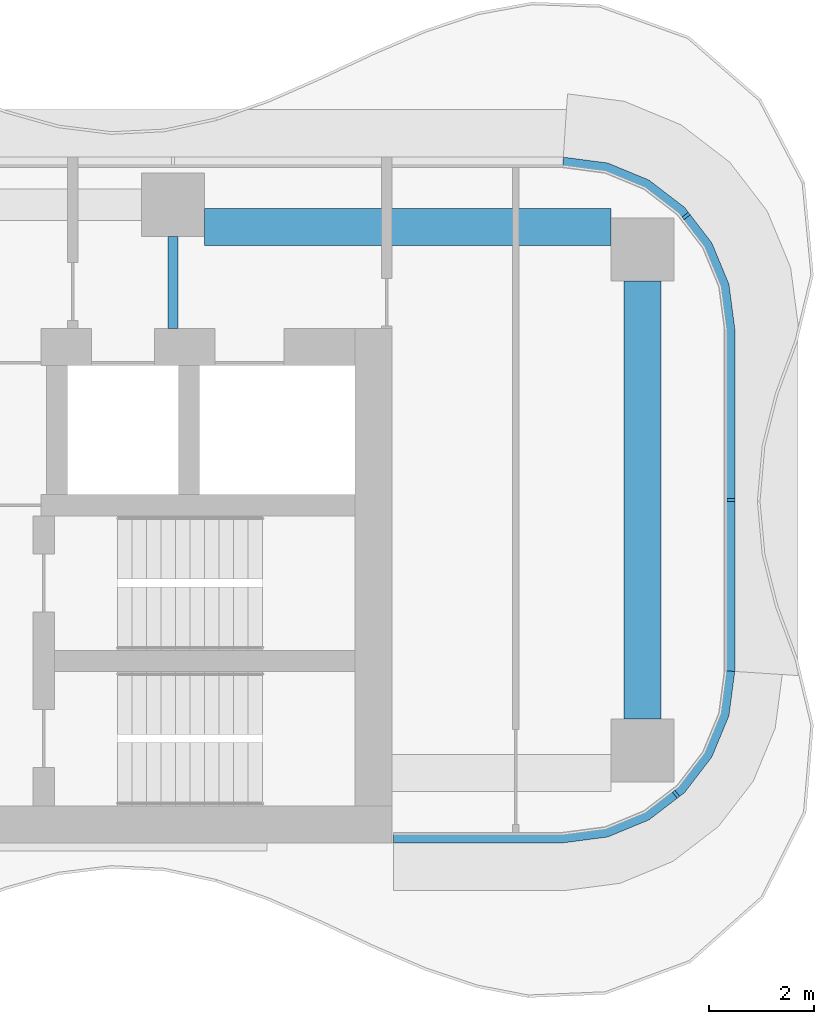
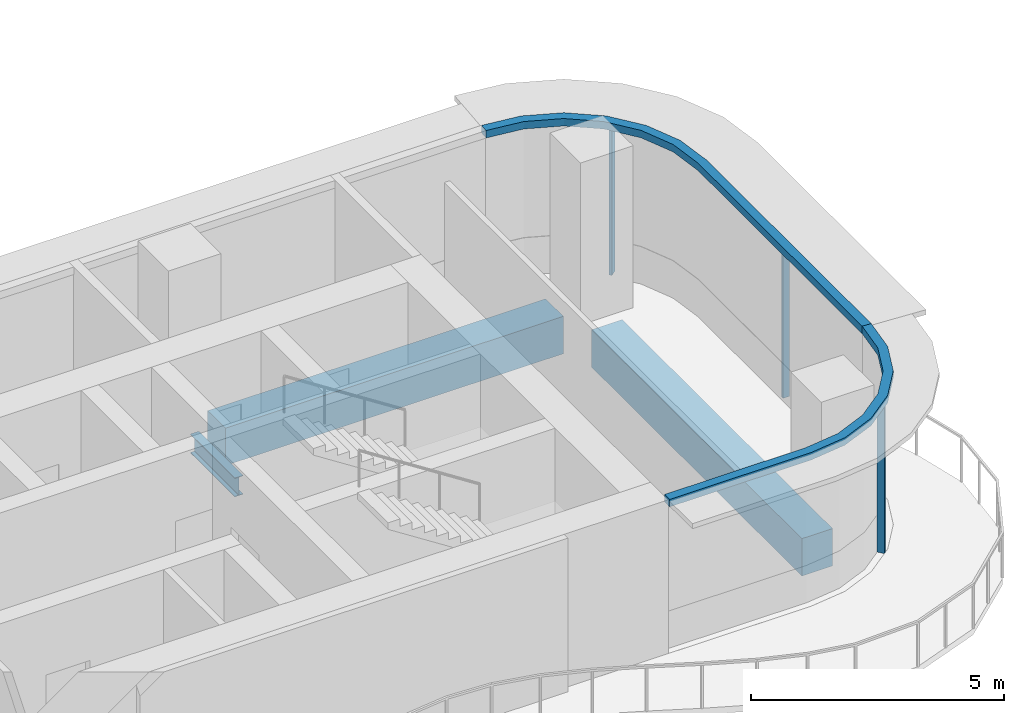
# One storey, part 6 of 18: 5 members, 3 beams, 2 elements without a shape of their own.
"""IFC4 building model written with IfcOpenShell, lengths in metres."""

import ifcopenshell
import ifcopenshell.guid

model = None  # the IFC model being written
_history = None  # IfcOwnerHistory: only IFC2X3 demands one
_inside = {}  # id of a spatial element -> (the spatial element, [elements in it])
_under = {}  # id of a project, library or spatial element -> (it, [spatial elements below it])
_declared = {}  # id of a project -> (the project, [libraries it declares])
_typed = {}  # id of a type object -> (the type object, [elements of that type])
_made_of = {}  # id of a material, layer set ... -> (it, [elements and type objects made of it])


def new_model(schema):
    """Start an empty IFC model of exactly this schema.

    Asked for "IFC4X3", IfcOpenShell would pick the latest addendum, in which some entities
    have other attributes; the version numbers below select the first issue.
    IFC2X3 requires an IfcOwnerHistory on every rooted entity: one is made here for all.
    """
    global model, _history
    if schema == "IFC4X3":
        model = ifcopenshell.file(schema_version=(4, 3, 0, 0))
    else:
        model = ifcopenshell.file(schema=schema)
    _inside.clear()
    _under.clear()
    _declared.clear()
    _typed.clear()
    _made_of.clear()
    _history = None
    if model.schema == "IFC2X3":
        org = make("IfcOrganization", Name="unknown")
        user = make(
            "IfcPersonAndOrganization",
            ThePerson=make("IfcPerson", FamilyName="unknown"),
            TheOrganization=org,
        )
        app = make(
            "IfcApplication",
            ApplicationDeveloper=org,
            Version="unknown",
            ApplicationFullName="unknown",
            ApplicationIdentifier="unknown",
        )
        _history = make(
            "IfcOwnerHistory",
            OwningUser=user,
            OwningApplication=app,
            ChangeAction="ADDED",
            CreationDate=0,
        )
    return model


def make(cls, **values):
    """One entity of the class cls with the attributes given. An attribute that is None is left unset."""
    return model.create_entity(
        cls, **{name: value for name, value in values.items() if value is not None}
    )


def rooted(cls, **values):
    """An entity with a GlobalId (a new one), such as an element, a storey or a relation."""
    return make(cls, GlobalId=ifcopenshell.guid.new(), OwnerHistory=_history, **values)


def si_unit(unit_type, name, prefix=None):
    """IfcSIUnit, for example si_unit("LENGTHUNIT", "METRE", prefix="MILLI")."""
    return make("IfcSIUnit", UnitType=unit_type, Prefix=prefix, Name=name)


def assignment(units):
    """IfcUnitAssignment: the units of a project."""
    return None if units is None else make("IfcUnitAssignment", Units=units)


def point(xyz):
    """IfcCartesianPoint."""
    return None if xyz is None else make("IfcCartesianPoint", Coordinates=xyz)


def direction(xyz):
    """IfcDirection."""
    return None if xyz is None else make("IfcDirection", DirectionRatios=xyz)


def frame(location, z_axis=None, x_axis=None):
    """IfcAxis2Placement3D, a coordinate frame: its origin and axes. An axis left out is left unset."""
    return make(
        "IfcAxis2Placement3D",
        Location=point(location),
        Axis=direction(z_axis),
        RefDirection=direction(x_axis),
    )


def frame_2d(location, x_axis=None):
    """IfcAxis2Placement2D, a coordinate frame in the plane: its origin and x axis."""
    return make(
        "IfcAxis2Placement2D", Location=point(location), RefDirection=direction(x_axis)
    )


def origin():
    """The frame at (0, 0, 0) with its axes left unset."""
    return frame((0.0, 0.0, 0.0))


def origin_2d():
    """The frame at (0, 0) in the plane with its x axis left unset."""
    return frame_2d((0.0, 0.0))


def place(relative_to, where):
    """IfcLocalPlacement: puts the frame where relative to a parent placement (None: the world)."""
    return make(
        "IfcLocalPlacement", PlacementRelTo=relative_to, RelativePlacement=where
    )


def context(
    kind, dimensions, precision=None, world=None, true_north=None, identifier=None
):
    """IfcGeometricRepresentationContext, for example the 3D "Model" context."""
    return make(
        "IfcGeometricRepresentationContext",
        ContextIdentifier=identifier,
        ContextType=kind,
        CoordinateSpaceDimension=dimensions,
        Precision=precision,
        WorldCoordinateSystem=world,
        TrueNorth=true_north,
    )


def subcontext(parent, identifier, kind, view, scale=None):
    """IfcGeometricRepresentationSubContext, for example "Body" below "Model"."""
    return make(
        "IfcGeometricRepresentationSubContext",
        ContextIdentifier=identifier,
        ContextType=kind,
        ParentContext=parent,
        TargetScale=scale,
        TargetView=view,
    )


def project(units=None, contexts=None):
    """IfcProject with its units and contexts."""
    return rooted(
        "IfcProject",
        Name="project",
        RepresentationContexts=contexts,
        UnitsInContext=assignment(units),
    )


def spatial(cls, under=None, at=None, **own):
    """A site, building, storey or space (cls), placed at a placement, below another one or the project."""
    s = rooted(cls, ObjectPlacement=at, **own)
    if under is not None:
        _under.setdefault(under.id(), (under, []))[1].append(s)
    return s


def polyline(points):
    """IfcPolyline through the points."""
    return make("IfcPolyline", Points=[point(p) for p in points])


def profile(cls, at=None, kind="AREA", **sizes):
    """A parametric profile (cls). Its sizes go by their IFC names, for example OverallWidth=200.0."""
    return make(cls, ProfileType=kind, Position=at, **sizes)


def rectangle(**sizes):
    """IfcRectangleProfileDef."""
    return profile("IfcRectangleProfileDef", **sizes)


def i_section(**sizes):
    """IfcIShapeProfileDef."""
    return profile("IfcIShapeProfileDef", **sizes)


def outline(outer, holes=None, kind="AREA"):
    """IfcArbitraryClosedProfileDef: a profile drawn as a closed curve; with holes, ...WithVoids."""
    if holes is None:
        return make("IfcArbitraryClosedProfileDef", ProfileType=kind, OuterCurve=outer)
    return make(
        "IfcArbitraryProfileDefWithVoids",
        ProfileType=kind,
        OuterCurve=outer,
        InnerCurves=holes,
    )


def extrude(swept, where, along, depth):
    """IfcExtrudedAreaSolid: the profile swept, set in the frame where, extruded along a direction by depth."""
    return make(
        "IfcExtrudedAreaSolid",
        SweptArea=swept,
        Position=where,
        ExtrudedDirection=direction(along),
        Depth=depth,
    )


def shape(context_of_items, identifier, shape_type, items):
    """IfcShapeRepresentation: the items that make up one representation, for example the "Body"."""
    return make(
        "IfcShapeRepresentation",
        ContextOfItems=context_of_items,
        RepresentationIdentifier=identifier,
        RepresentationType=shape_type,
        Items=items,
    )


def source(mapping_origin, context_of_items, identifier, shape_type, items):
    """IfcRepresentationMap: a shape defined once, which mapped items show again and again."""
    return make(
        "IfcRepresentationMap",
        MappingOrigin=mapping_origin,
        MappedRepresentation=shape(context_of_items, identifier, shape_type, items),
    )


def transform(
    local_origin,
    x_axis=None,
    y_axis=None,
    z_axis=None,
    scale=None,
    scale2=None,
    scale3=None,
    uniform=True,
):
    """IfcCartesianTransformationOperator3D, or its non-uniform kind. x_axis, y_axis, z_axis: its Axis1, 2, 3."""
    if uniform:
        return make(
            "IfcCartesianTransformationOperator3D",
            Axis1=direction(x_axis),
            Axis2=direction(y_axis),
            LocalOrigin=point(local_origin),
            Scale=scale,
            Axis3=direction(z_axis),
        )
    return make(
        "IfcCartesianTransformationOperator3DnonUniform",
        Axis1=direction(x_axis),
        Axis2=direction(y_axis),
        LocalOrigin=point(local_origin),
        Scale=scale,
        Axis3=direction(z_axis),
        Scale2=scale2,
        Scale3=scale3,
    )


def mapped(mapping_source, mapping_target):
    """IfcMappedItem: shows the shape of a source again, moved by a transform."""
    return make(
        "IfcMappedItem", MappingSource=mapping_source, MappingTarget=mapping_target
    )


def material(Name=None, Category=None):
    """IfcMaterial."""
    return make("IfcMaterial", Name=Name, Category=Category)


def layer(
    of_material, thickness, ventilated=None, Name=None, Category=None, Priority=None
):
    """IfcMaterialLayer: one layer of a wall or slab, of a material (None: an air gap)."""
    return make(
        "IfcMaterialLayer",
        Material=of_material,
        LayerThickness=thickness,
        IsVentilated=ventilated,
        Name=Name,
        Category=Category,
        Priority=Priority,
    )


def layer_set(layers, Name=None):
    """IfcMaterialLayerSet."""
    return make("IfcMaterialLayerSet", MaterialLayers=layers, LayerSetName=Name)


def material_profile(
    of_material, cross_section, Name=None, Category=None, Priority=None
):
    """IfcMaterialProfile: a cross section and its material."""
    return make(
        "IfcMaterialProfile",
        Name=Name,
        Material=of_material,
        Profile=cross_section,
        Priority=Priority,
        Category=Category,
    )


def profile_set(profiles, Name=None, composite=None):
    """IfcMaterialProfileSet."""
    return make(
        "IfcMaterialProfileSet",
        Name=Name,
        MaterialProfiles=profiles,
        CompositeProfile=composite,
    )


def made_of(thing, what):
    """Note that an element or type object is made of a material, layer set ...; save() writes the relation."""
    if what is not None:
        _made_of.setdefault(what.id(), (what, []))[1].append(thing)
    return thing


def type_object(cls, material=None, **own):
    """A type object (cls), such as IfcWallType, which elements share."""
    return made_of(rooted(cls, **own), material)


def element(
    cls,
    number,
    at=None,
    inside=None,
    cuts=None,
    type_object=None,
    material=None,
    context=None,
    identifier="Body",
    shape_type=None,
    held_by="IfcProductDefinitionShape",
    body=None,
    shapes=None,
    **own,
):
    """One element of the class cls, such as IfcWall. Its Tag is "e" and its number.

    at: its placement. inside: the storey or other place that contains it. cuts: it is an
    opening in that element (IfcRelVoidsElement). A single representation is given by context,
    identifier, shape_type and body (its items); several are given by shapes. held_by: the class
    of the entity that holds the representations. save() writes the other relations.
    """
    e = rooted(cls, Tag="e%d" % number, ObjectPlacement=at, **own)
    if body is not None:
        shapes = [shape(context, identifier, shape_type, body)]
    if shapes is not None:
        e.Representation = make(held_by, Representations=shapes)
    if inside is not None:
        _inside.setdefault(inside.id(), (inside, []))[1].append(e)
    if cuts is not None:
        rooted(
            "IfcRelVoidsElement", RelatingBuildingElement=cuts, RelatedOpeningElement=e
        )
    if type_object is not None:
        _typed.setdefault(type_object.id(), (type_object, []))[1].append(e)
    return made_of(e, material)


def aggregate(whole, parts):
    """IfcRelAggregates: a whole, such as a stair, and the parts it consists of."""
    return rooted("IfcRelAggregates", RelatingObject=whole, RelatedObjects=parts)


def save(model, path):
    """Write the relations noted so far, then the file.

    IfcRelAggregates (storeys below a building ...), IfcRelContainedInSpatialStructure (elements
    in a storey), IfcRelDefinesByType, IfcRelAssociatesMaterial and IfcRelDeclares: one each for
    every whole, place, type object, material and project.
    """
    for whole, parts in _under.values():
        aggregate(whole, parts)
    for where, things in _inside.values():
        rooted(
            "IfcRelContainedInSpatialStructure",
            RelatedElements=things,
            RelatingStructure=where,
        )
    for kind, things in _typed.values():
        rooted("IfcRelDefinesByType", RelatedObjects=things, RelatingType=kind)
    for what, things in _made_of.values():
        rooted("IfcRelAssociatesMaterial", RelatedObjects=things, RelatingMaterial=what)
    for by, libraries in _declared.values():
        rooted("IfcRelDeclares", RelatingContext=by, RelatedDefinitions=libraries)
    model.write(path)


model = new_model("IFC4")

# Units and contexts
model_context = context("Model", 3, precision=1e-05, world=origin(), true_north=direction((0.0, 1.0)))
body_context = subcontext(model_context, "Body", "Model", "MODEL_VIEW")
ifc_project = project(units=[si_unit("LENGTHUNIT", "METRE"), si_unit("AREAUNIT", "SQUARE_METRE"), si_unit("VOLUMEUNIT", "CUBIC_METRE"), si_unit("PLANEANGLEUNIT", "RADIAN"), si_unit("MASSUNIT", "GRAM", prefix="KILO")], contexts=[model_context])

# Site, building, storey
site_placement = place(None, origin())
site = spatial("IfcSite", under=ifc_project, at=site_placement, CompositionType="ELEMENT")
building_placement = place(site_placement, origin())
building = spatial("IfcBuilding", under=site, at=building_placement, Name="Trellis Farm Tower", CompositionType="ELEMENT")
storey_placement = place(building_placement, frame((0.0, 0.0, 201.0)))
storey = spatial("IfcBuildingStorey", under=building, at=storey_placement, Name="L44", CompositionType="ELEMENT", Elevation=201.0)

# Beams
ifc_material_1 = material(Name="Concrete C60/75", Category="concrete")
ifc_material_profile_1 = material_profile(ifc_material_1, rectangle(XDim=0.699951171875, YDim=0.89990234375, at=origin_2d()), Name="RC spandrel beam 700x900 C60/75")
ifc_profile_set_1 = profile_set([ifc_material_profile_1], Name="Concrete C60/75")
beam_type_1 = type_object("IfcBeamType", Name="RC spandrel beam 700x900 C60/75", PredefinedType="SPANDREL", material=ifc_profile_set_1)
shared_shape_1 = source(origin(), body_context, "Body", "SweptSolid", [
    extrude(rectangle(XDim=0.699951171875, YDim=0.89990234375, at=origin_2d()), origin(), (0.0, 0.0, 1.0), 8.2998046875),
])
beam_1_placement = place(storey_placement, frame((27.5, -4.14990234375, -0.64990234375), z_axis=(0.0, 1.0, 0.0), x_axis=(-1.0, 0.0, 0.0)))
element("IfcBeam", 1, at=beam_1_placement, inside=storey, type_object=beam_type_1, Name="Girder", PredefinedType="SPANDREL", context=body_context, shape_type="MappedRepresentation", body=[
    mapped(shared_shape_1, transform((0.0, 0.0, 0.0))),
])
ifc_material_2 = material(Name="Steel S355", Category="steel")
ifc_material_profile_2 = material_profile(ifc_material_2, i_section(OverallWidth=0.1904296875, OverallDepth=0.45703125, WebThickness=0.009033203125, FlangeThickness=0.014404296875, FilletRadius=0.01025390625, at=origin_2d()), Name="UB 457x191x74")
ifc_profile_set_2 = profile_set([ifc_material_profile_2], Name="Steel S355")
beam_type_2 = type_object("IfcBeamType", Name="UB 457x191x74", PredefinedType="BEAM", material=ifc_profile_set_2)
shared_shape_2 = source(origin(), body_context, "Body", "SweptSolid", [
    extrude(i_section(OverallWidth=0.1904296875, OverallDepth=0.45703125, WebThickness=0.009033203125, FlangeThickness=0.014404296875, FilletRadius=0.01025390625, at=origin_2d()), origin(), (0.0, 0.0, 1.0), 1.75),
])
beam_2_placement = place(storey_placement, frame((18.60009765625, 3.25, -0.428466796875), z_axis=(0.0, 1.0, 0.0), x_axis=(-1.0, 0.0, 0.0)))
element("IfcBeam", 2, at=beam_2_placement, inside=storey, type_object=beam_type_2, Name="Girder", PredefinedType="BEAM", context=body_context, shape_type="MappedRepresentation", body=[
    mapped(shared_shape_2, transform((0.0, 0.0, 0.0))),
])
shared_shape_3 = source(origin(), body_context, "Body", "SweptSolid", [
    extrude(rectangle(XDim=0.699951171875, YDim=0.89990234375, at=origin_2d()), origin(), (0.0, 0.0, 1.0), 7.699951171875),
])
beam_3_placement = place(storey_placement, frame((19.199951171875, 5.175048828125, -0.64990234375), z_axis=(1.0, 0.0, 0.0), x_axis=(0.0, 1.0, 0.0)))
element("IfcBeam", 3, at=beam_3_placement, inside=storey, type_object=beam_type_1, Name="Girder", PredefinedType="SPANDREL", context=body_context, shape_type="MappedRepresentation", body=[
    mapped(shared_shape_3, transform((0.0, 0.0, 0.0))),
])

# Curtain wall, member
ifc_material_3 = material(Name="Aluminium and glass curtain wall", Category="aluminium")
ifc_layer_1 = layer(ifc_material_3, 0.18994140625)
ifc_layer_set_1 = layer_set([ifc_layer_1], Name="RIBBON CURTAIN WALL CW1")
curtain_wall_type = type_object("IfcCurtainWallType", Name="RIBBON CURTAIN WALL CW1", PredefinedType="NOTDEFINED", material=ifc_layer_set_1)
placement_1 = place(storey_placement, origin())
curtain_wall_1 = element("IfcCurtainWall", 4, at=placement_1, inside=storey, type_object=curtain_wall_type, Name="CW1 006", PredefinedType="NOTDEFINED")
ifc_material_4 = material(Name="Aluminium extrusion 6063-T6", Category="aluminium")
ifc_layer_2 = layer(ifc_material_4, 0.199951171875)
ifc_layer_set_2 = layer_set([ifc_layer_2], Name="Aluminium extrusion 6063-T6")
member_type_1 = type_object("IfcMemberType", Name="CW1 TRANSOM 200x180", PredefinedType="USERDEFINED", material=ifc_layer_set_2)
shared_shape_4 = source(origin(), body_context, "Body", "SweptSolid", [
    extrude(outline(polyline([(22.780029296875, -6.5), (26.0, -6.5), (26.841064453125, -6.38916015625), (27.625, -6.064697265625), (28.298095703125, -5.548095703125), (28.814697265625, -4.875), (29.13916015625, -4.091064453125), (29.25, -3.25), (29.050048828125, -3.23681640625), (28.9443359375, -4.0390625), (28.639892578125, -4.774169921875), (28.155517578125, -5.405517578125), (27.524169921875, -5.889892578125), (26.7890625, -6.1943359375), (25.98681640625, -6.300048828125), (22.780029296875, -6.300048828125), (22.780029296875, -6.5)])), origin(), (0.0, 0.0, 1.0), 0.179931640625),
])
placement_2 = place(storey_placement, frame((0.0, 0.0, 3.52001953125)))
member_1 = element("IfcMember", 5, at=placement_2, type_object=member_type_1, Name="TR1 006", ObjectType="TRANSOM", PredefinedType="USERDEFINED", context=body_context, shape_type="MappedRepresentation", body=[
    mapped(shared_shape_4, transform((0.0, 0.0, 0.0))),
])

curtain_wall_2 = element("IfcCurtainWall", 6, at=placement_1, inside=storey, type_object=curtain_wall_type, Name="CW1 007", PredefinedType="NOTDEFINED")
shared_shape_5 = source(origin(), body_context, "Body", "SweptSolid", [
    extrude(outline(polyline([(29.25, -3.25), (29.25, 3.25), (29.13916015625, 4.091064453125), (28.814697265625, 4.875), (28.298095703125, 5.548095703125), (27.625, 6.064697265625), (26.841064453125, 6.38916015625), (26.0, 6.5), (25.98681640625, 6.300048828125), (26.7890625, 6.1943359375), (27.524169921875, 5.889892578125), (28.155517578125, 5.405517578125), (28.639892578125, 4.774169921875), (28.9443359375, 4.0390625), (29.050048828125, 3.23681640625), (29.050048828125, -3.23681640625), (29.25, -3.25)])), origin(), (0.0, 0.0, 1.0), 0.179931640625),
])
member_2 = element("IfcMember", 7, at=placement_2, type_object=member_type_1, Name="TR1 007", ObjectType="TRANSOM", PredefinedType="USERDEFINED", context=body_context, shape_type="MappedRepresentation", body=[
    mapped(shared_shape_5, transform((0.0, 0.0, 0.0))),
])

# Member
ifc_material_profile_3 = material_profile(ifc_material_4, rectangle(XDim=0.06005859375, YDim=0.14990234375, at=origin_2d()), Name="MULLION 60x150")
ifc_profile_set_3 = profile_set([ifc_material_profile_3], Name="Aluminium extrusion 6063-T6")
member_type_2 = type_object("IfcMemberType", Name="CW1 MULLION 60x150", PredefinedType="MULLION", material=ifc_profile_set_3)
shared_shape_6 = source(origin(), body_context, "Body", "SweptSolid", [
    extrude(rectangle(XDim=0.06005859375, YDim=0.14990234375, at=origin_2d()), origin(), (0.0, 0.0, 1.0), 3.52001953125),
])
member_3_placement = place(storey_placement, frame((28.135498046875, -5.578369140625, 0.0), z_axis=(0.0, 0.0, 1.0), x_axis=(0.793353340291, 0.608761429009, 0.0)))
member_3 = element("IfcMember", 8, at=member_3_placement, type_object=member_type_2, Name="MU1 006-01", PredefinedType="MULLION", context=body_context, shape_type="MappedRepresentation", body=[
    mapped(shared_shape_6, transform((0.0, 0.0, 0.0))),
])

aggregate(curtain_wall_1, [member_3, member_1])

member_4_placement = place(storey_placement, frame((29.175048828125, 0.0, 0.0), z_axis=(0.0, 0.0, 1.0), x_axis=(0.0, 1.0, 0.0)))
member_4 = element("IfcMember", 9, at=member_4_placement, type_object=member_type_2, Name="MU1 007-01", PredefinedType="MULLION", context=body_context, shape_type="MappedRepresentation", body=[
    mapped(shared_shape_6, transform((0.0, 0.0, 0.0))),
])

member_5_placement = place(storey_placement, frame((28.328369140625, 5.385498046875, 0.0), z_axis=(0.0, 0.0, 1.0), x_axis=(-0.608761429009, 0.793353340291, 0.0)))
member_5 = element("IfcMember", 10, at=member_5_placement, type_object=member_type_2, Name="MU1 007-02", PredefinedType="MULLION", context=body_context, shape_type="MappedRepresentation", body=[
    mapped(shared_shape_6, transform((0.0, 0.0, 0.0))),
])

aggregate(curtain_wall_2, [member_4, member_5, member_2])

save(model, "model.ifc")
